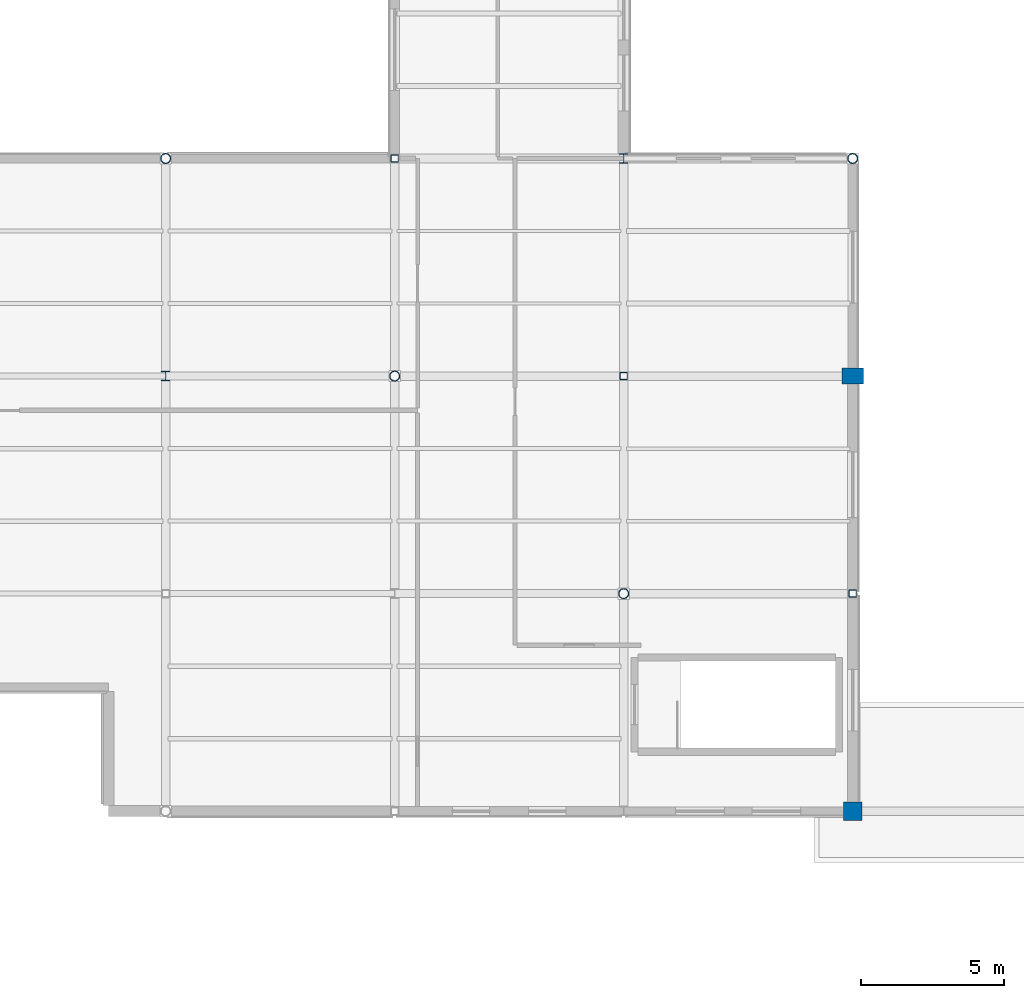
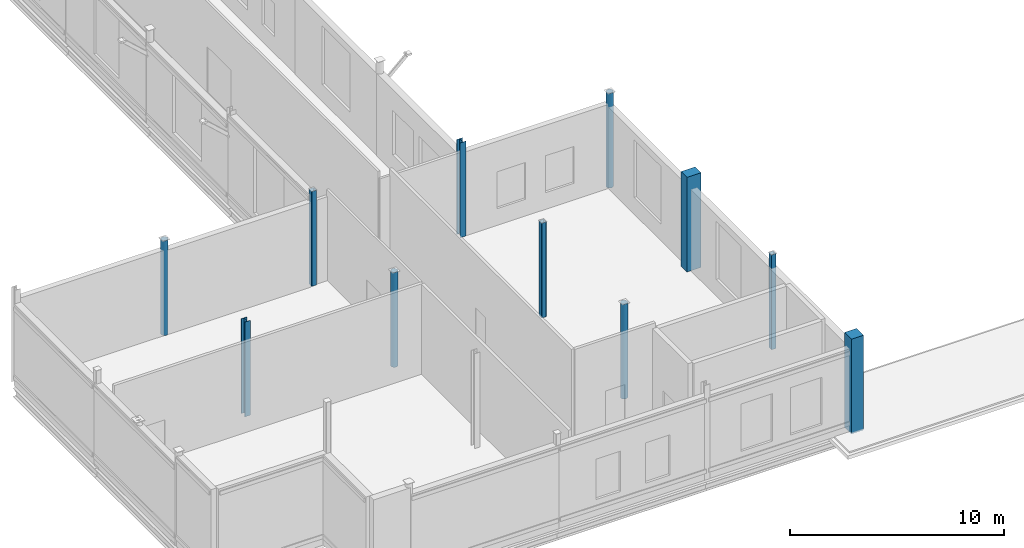
# One storey, part 2 of 147: 11 columns.
"""IFC4 building model written with IfcOpenShell, lengths in metres."""

from ifc_helpers import new_model, si_unit, direction, frame, origin, origin_2d, place, context, subcontext, project, spatial, rectangle, hollow_rectangle, hollow_circle, i_section, extrude, material, material_profile, profile_set, type_object, element, save


model = new_model("IFC4")

# Units and contexts
model_context = context("Model", 3, precision=1e-05, world=origin(), true_north=direction((0.0, 1.0)))
body_context = subcontext(model_context, "Body", "Model", "MODEL_VIEW")
ifc_project = project(units=[si_unit("LENGTHUNIT", "METRE"), si_unit("AREAUNIT", "SQUARE_METRE"), si_unit("VOLUMEUNIT", "CUBIC_METRE"), si_unit("PLANEANGLEUNIT", "RADIAN"), si_unit("MASSUNIT", "GRAM", prefix="KILO")], contexts=[model_context])

# Site, building, storey
site_placement = place(None, origin())
site = spatial("IfcSite", under=ifc_project, at=site_placement, CompositionType="ELEMENT")
building_placement = place(site_placement, origin())
building = spatial("IfcBuilding", under=site, at=building_placement, Name="Vekula Escarpment Museum", CompositionType="ELEMENT")
storey_placement = place(building_placement, frame((0.0, 0.0, 7.800048828125)))
storey = spatial("IfcBuildingStorey", under=building, at=storey_placement, Name="L02", CompositionType="ELEMENT", Elevation=7.800048828125)

# Columns
ifc_material_1 = material(Name="Steel S355", Category="steel")
ifc_material_profile_1 = material_profile(ifc_material_1, hollow_circle(Radius=0.177734375, WallThickness=0.01611328125, at=origin_2d()), Name="CHS 355.6x16")
ifc_profile_set_1 = profile_set([ifc_material_profile_1], Name="Steel S355")
column_type_1 = type_object("IfcColumnType", Name="COL-S-CHS355", PredefinedType="COLUMN", material=ifc_profile_set_1)
for number, where, z_axis, x_axis, name in (
    (1, (32.0, 22.800048828125, 0.0), (0.0, 0.0, 1.0), (1.0, 0.0, 0.0), "Column L02 (32.0,22.8)"),
    (2, (40.0, 15.199951171875, 0.0), (0.0, 0.0, 1.0), (1.0, 0.0, 0.0), "Column L02 (40.0,15.2)"),
    (3, (48.0, 7.60009765625, 0.0), (0.0, 0.0, 1.0), (1.0, 0.0, 0.0), "Column L02 (48.0,7.6)"),
    (4, (56.0, 22.800048828125, 0.0), (0.0, 0.0, 1.0), (1.0, 0.0, 0.0), "Column L02 (56.0,22.8)"),
):
    element("IfcColumn", number, at=place(storey_placement, frame(where, z_axis=z_axis, x_axis=x_axis)), inside=storey, type_object=column_type_1, Name=name, PredefinedType="COLUMN", context=body_context, shape_type="SweptSolid", body=[
        extrude(hollow_circle(Radius=0.177734375, WallThickness=0.01611328125, at=origin_2d()), origin(), (0.0, 0.0, 1.0), 5.39990234375),
    ])
ifc_material_2 = material(Name="Steel S355", Category="steel")
ifc_material_profile_2 = material_profile(ifc_material_2, i_section(OverallWidth=0.300048828125, OverallDepth=0.330078125, WebThickness=0.009521484375, FlangeThickness=0.0166015625, FilletRadius=0.027099609375, at=origin_2d()), Name="HEA 340")
ifc_profile_set_2 = profile_set([ifc_material_profile_2], Name="Steel S355")
column_type_2 = type_object("IfcColumnType", Name="COL-S-HEA340", PredefinedType="COLUMN", material=ifc_profile_set_2)
for number, where, z_axis, x_axis, name in (
    (5, (32.0, 15.199951171875, 0.0), (0.0, 0.0, 1.0), (1.0, 0.0, 0.0), "Column L02 (32.0,15.2)"),
    (6, (48.0, 22.800048828125, 0.0), (0.0, 0.0, 1.0), (1.0, 0.0, 0.0), "Column L02 (48.0,22.8)"),
):
    element("IfcColumn", number, at=place(storey_placement, frame(where, z_axis=z_axis, x_axis=x_axis)), inside=storey, type_object=column_type_2, Name=name, PredefinedType="COLUMN", context=body_context, shape_type="SweptSolid", body=[
        extrude(i_section(OverallWidth=0.300048828125, OverallDepth=0.330078125, WebThickness=0.009521484375, FlangeThickness=0.0166015625, FilletRadius=0.027099609375, at=origin_2d()), origin(), (0.0, 0.0, 1.0), 5.39990234375),
    ])
ifc_material_3 = material(Name="Steel S355", Category="steel")
ifc_material_profile_3 = material_profile(ifc_material_3, hollow_rectangle(XDim=0.260009765625, YDim=0.260009765625, WallThickness=0.012451171875, InnerFilletRadius=0.012451171875, OuterFilletRadius=0.02490234375, at=origin_2d()), Name="SHS 260x260x12.5")
ifc_profile_set_3 = profile_set([ifc_material_profile_3], Name="Steel S355")
column_type_3 = type_object("IfcColumnType", Name="COL-S-SHS260", PredefinedType="COLUMN", material=ifc_profile_set_3)
for number, where, z_axis, x_axis, name in (
    (7, (40.0, 22.800048828125, 0.0), (0.0, 0.0, 1.0), (1.0, 0.0, 0.0), "Column L02 (40.0,22.8)"),
    (8, (48.0, 15.199951171875, 0.0), (0.0, 0.0, 1.0), (1.0, 0.0, 0.0), "Column L02 (48.0,15.2)"),
    (9, (56.0, 7.60009765625, 0.0), (0.0, 0.0, 1.0), (1.0, 0.0, 0.0), "Column L02 (56.0,7.6)"),
):
    element("IfcColumn", number, at=place(storey_placement, frame(where, z_axis=z_axis, x_axis=x_axis)), inside=storey, type_object=column_type_3, Name=name, PredefinedType="COLUMN", context=body_context, shape_type="SweptSolid", body=[
        extrude(hollow_rectangle(XDim=0.260009765625, YDim=0.260009765625, WallThickness=0.012451171875, InnerFilletRadius=0.012451171875, OuterFilletRadius=0.02490234375, at=origin_2d()), origin(), (0.0, 0.0, 1.0), 5.39990234375),
    ])
ifc_material_4 = material(Name="Inkisi arkosic sandstone masonry", Category="masonry")
ifc_material_profile_4 = material_profile(ifc_material_4, rectangle(XDim=0.64990234375, YDim=0.64990234375, at=origin_2d()), Name="PIER 650x650")
ifc_profile_set_4 = profile_set([ifc_material_profile_4], Name="Inkisi arkosic sandstone masonry")
column_type_4 = type_object("IfcColumnType", Name="PIL-ALM-650", PredefinedType="PILASTER", material=ifc_profile_set_4)
column_1_placement = place(storey_placement, frame((56.0, 0.0, 0.0), z_axis=(0.0, 0.0, 1.0), x_axis=(1.0, 0.0, 0.0)))
element("IfcColumn", 10, at=column_1_placement, inside=storey, type_object=column_type_4, Name="Column L02 (56.0,0.0)", PredefinedType="PILASTER", context=body_context, shape_type="SweptSolid", body=[
    extrude(rectangle(XDim=0.64990234375, YDim=0.64990234375, at=origin_2d()), origin(), (0.0, 0.0, 1.0), 5.39990234375),
])
ifc_material_5 = material(Name="Inkisi arkosic sandstone masonry", Category="masonry")
ifc_material_profile_5 = material_profile(ifc_material_5, rectangle(XDim=0.75, YDim=0.550048828125, at=origin_2d()), Name="PIER 750x550")
ifc_profile_set_5 = profile_set([ifc_material_profile_5], Name="Inkisi arkosic sandstone masonry")
column_type_5 = type_object("IfcColumnType", Name="PIL-ALM-750", PredefinedType="PILASTER", material=ifc_profile_set_5)
column_2_placement = place(storey_placement, frame((56.0, 15.199951171875, 0.0), z_axis=(0.0, 0.0, 1.0), x_axis=(1.0, 0.0, 0.0)))
element("IfcColumn", 11, at=column_2_placement, inside=storey, type_object=column_type_5, Name="Column L02 (56.0,15.2)", PredefinedType="PILASTER", context=body_context, shape_type="SweptSolid", body=[
    extrude(rectangle(XDim=0.75, YDim=0.550048828125, at=origin_2d()), origin(), (0.0, 0.0, 1.0), 5.39990234375),
])

save(model, "model.ifc")
